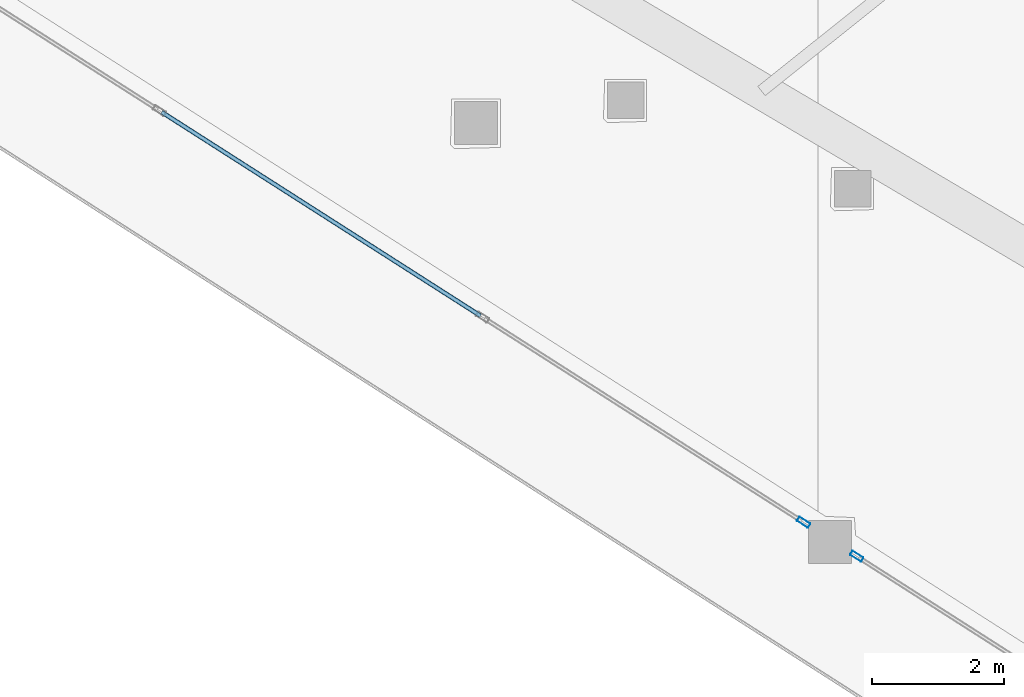
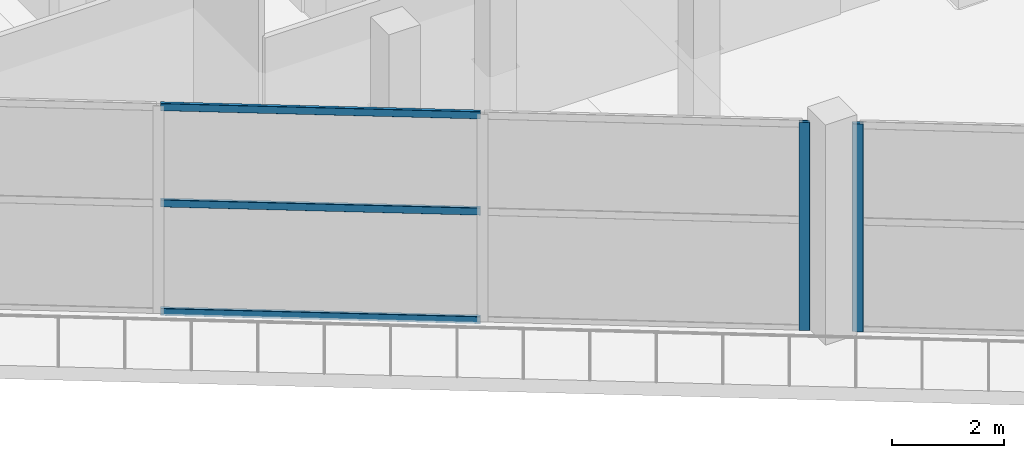
# One storey, part 4 of 36: 5 members, 2 elements without a shape of their own.
"""IFC4 building model written with IfcOpenShell, lengths in metres."""

from ifc_helpers import new_model, si_unit, direction, frame, origin, origin_2d, place, context, subcontext, project, spatial, hollow_rectangle, extrude, material, layer, layer_set, material_profile, profile_set, type_object, element, aggregate, save


model = new_model("IFC4")

# Units and contexts
model_context = context("Model", 3, precision=1e-05, world=origin(), true_north=direction((0.0, 1.0)))
body_context = subcontext(model_context, "Body", "Model", "MODEL_VIEW")
ifc_project = project(units=[si_unit("LENGTHUNIT", "METRE"), si_unit("AREAUNIT", "SQUARE_METRE"), si_unit("VOLUMEUNIT", "CUBIC_METRE"), si_unit("PLANEANGLEUNIT", "RADIAN"), si_unit("MASSUNIT", "GRAM", prefix="KILO")], contexts=[model_context])

# Site, building, storey
site_placement = place(None, origin())
site = spatial("IfcSite", under=ifc_project, at=site_placement, CompositionType="ELEMENT")
building_placement = place(site_placement, origin())
building = spatial("IfcBuilding", under=site, at=building_placement, Name="Qorvath Tower", CompositionType="ELEMENT")
storey_placement = place(building_placement, frame((0.0, 0.0, 180.0)))
storey = spatial("IfcBuildingStorey", under=building, at=storey_placement, Name="L41", CompositionType="ELEMENT", Elevation=180.0)

# Curtain wall, member
ifc_material_1 = material(Name="Anodised aluminium and triple low-E glass", Category="aluminium")
ifc_layer = layer(ifc_material_1, 0.179931640625)
ifc_layer_set = layer_set([ifc_layer], Name="CW-SYS-5")
curtain_wall_type = type_object("IfcCurtainWallType", Name="CW-SYS-5", PredefinedType="NOTDEFINED", material=ifc_layer_set)
curtain_wall_1_placement = place(storey_placement, origin())
curtain_wall_1 = element("IfcCurtainWall", 1, at=curtain_wall_1_placement, inside=storey, type_object=curtain_wall_type, Name="Curtain Wall CW-5 CW-T-L41-2.1", PredefinedType="NOTDEFINED")
ifc_material_2 = material(Name="Anodised aluminium 6063-T6", Category="aluminium")
ifc_material_profile_1 = material_profile(ifc_material_2, hollow_rectangle(XDim=0.074951171875, YDim=0.199951171875, WallThickness=0.00390625, InnerFilletRadius=0.00390625, OuterFilletRadius=0.008056640625, at=origin_2d()), Name="CWM 200x75")
ifc_profile_set_1 = profile_set([ifc_material_profile_1], Name="Anodised aluminium 6063-T6")
member_type_1 = type_object("IfcMemberType", Name="CWM-200", PredefinedType="MULLION", material=ifc_profile_set_1)
member_1_placement = place(storey_placement, frame((-31.41748046875, -19.16455078125, 0.0), z_axis=(0.0, 0.0, 1.0), x_axis=(0.538533311115, 0.842604220747, 0.0)))
member_1 = element("IfcMember", 2, at=member_1_placement, type_object=member_type_1, Name="CW-5 mullion 6", PredefinedType="MULLION", context=body_context, shape_type="SweptSolid", body=[
    extrude(hollow_rectangle(XDim=0.074951171875, YDim=0.199951171875, WallThickness=0.00390625, InnerFilletRadius=0.00390625, OuterFilletRadius=0.008056640625, at=origin_2d()), origin(), (0.0, 0.0, 1.0), 4.530029296875),
])

curtain_wall_2_placement = place(storey_placement, origin())
curtain_wall_2 = element("IfcCurtainWall", 3, at=curtain_wall_2_placement, inside=storey, type_object=curtain_wall_type, Name="Curtain Wall CW-5 CW-T-L41-2.2", PredefinedType="NOTDEFINED")
member_2_placement = place(storey_placement, frame((-30.614501953125, -19.677978515625, 0.0), z_axis=(0.0, 0.0, 1.0), x_axis=(0.538544146891, 0.842597295183, 0.0)))
member_2 = element("IfcMember", 4, at=member_2_placement, type_object=member_type_1, Name="CW-5 mullion 1", PredefinedType="MULLION", context=body_context, shape_type="SweptSolid", body=[
    extrude(hollow_rectangle(XDim=0.074951171875, YDim=0.199951171875, WallThickness=0.00390625, InnerFilletRadius=0.00390625, OuterFilletRadius=0.008056640625, at=origin_2d()), origin(), (0.0, 0.0, 1.0), 4.530029296875),
])
aggregate(curtain_wall_2, [member_2])

# Member
ifc_material_3 = material(Name="Anodised aluminium 6063-T6", Category="aluminium")
ifc_material_profile_2 = material_profile(ifc_material_3, hollow_rectangle(XDim=0.06494140625, YDim=0.159912109375, WallThickness=0.00341796875, InnerFilletRadius=0.00341796875, OuterFilletRadius=0.007080078125, at=origin_2d()), Name="CWT 160x65")
ifc_profile_set_2 = profile_set([ifc_material_profile_2], Name="Anodised aluminium 6063-T6")
member_type_2 = type_object("IfcMemberType", Name="CWT-160", PredefinedType="USERDEFINED", material=ifc_profile_set_2)
member_3_placement = place(storey_placement, frame((-41.11181640625, -12.96875, 0.032470703125), z_axis=(0.842607952816, -0.53852747177, 0.0), x_axis=(0.53852747177, 0.842607952816, 0.0)))
member_3 = element("IfcMember", 5, at=member_3_placement, type_object=member_type_2, Name="CW-5 transom 4.1", ObjectType="TRANSOM", PredefinedType="USERDEFINED", context=body_context, shape_type="SweptSolid", body=[
    extrude(hollow_rectangle(XDim=0.06494140625, YDim=0.159912109375, WallThickness=0.00341796875, InnerFilletRadius=0.00341796875, OuterFilletRadius=0.007080078125, at=origin_2d()), origin(), (0.0, 0.0, 1.0), 5.71484375),
])

member_4_placement = place(storey_placement, frame((-41.11181640625, -12.96875, 2.39990234375), z_axis=(0.842607952816, -0.53852747177, 0.0), x_axis=(0.53852747177, 0.842607952816, 0.0)))
member_4 = element("IfcMember", 6, at=member_4_placement, type_object=member_type_2, Name="CW-5 transom 4.2", ObjectType="TRANSOM", PredefinedType="USERDEFINED", context=body_context, shape_type="SweptSolid", body=[
    extrude(hollow_rectangle(XDim=0.06494140625, YDim=0.159912109375, WallThickness=0.00341796875, InnerFilletRadius=0.00341796875, OuterFilletRadius=0.007080078125, at=origin_2d()), origin(), (0.0, 0.0, 1.0), 5.71484375),
])

member_5_placement = place(storey_placement, frame((-41.11181640625, -12.96875, 4.49755859375), z_axis=(0.842607952816, -0.53852747177, 0.0), x_axis=(0.53852747177, 0.842607952816, 0.0)))
member_5 = element("IfcMember", 7, at=member_5_placement, type_object=member_type_2, Name="CW-5 transom 4.3", ObjectType="TRANSOM", PredefinedType="USERDEFINED", context=body_context, shape_type="SweptSolid", body=[
    extrude(hollow_rectangle(XDim=0.06494140625, YDim=0.159912109375, WallThickness=0.00341796875, InnerFilletRadius=0.00341796875, OuterFilletRadius=0.007080078125, at=origin_2d()), origin(), (0.0, 0.0, 1.0), 5.71484375),
])

aggregate(curtain_wall_1, [member_1, member_3, member_4, member_5])

save(model, "model.ifc")
